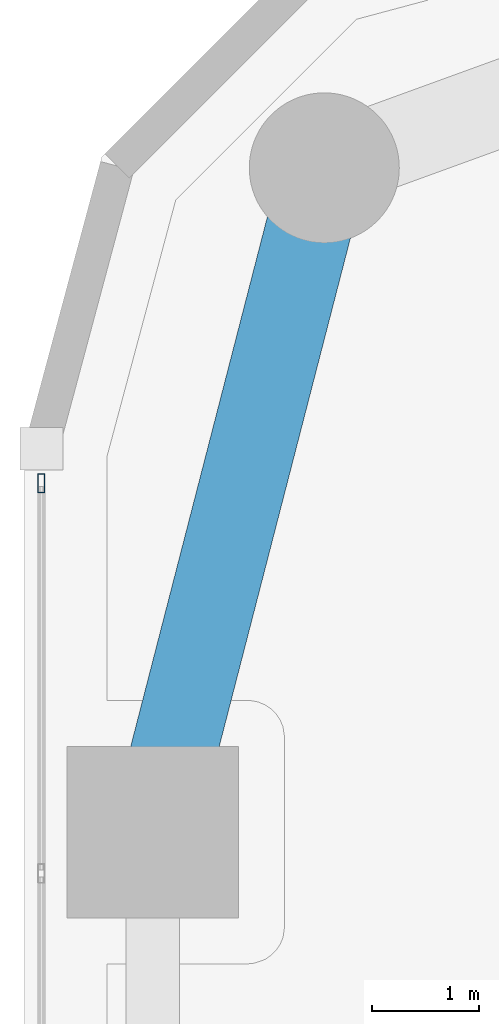
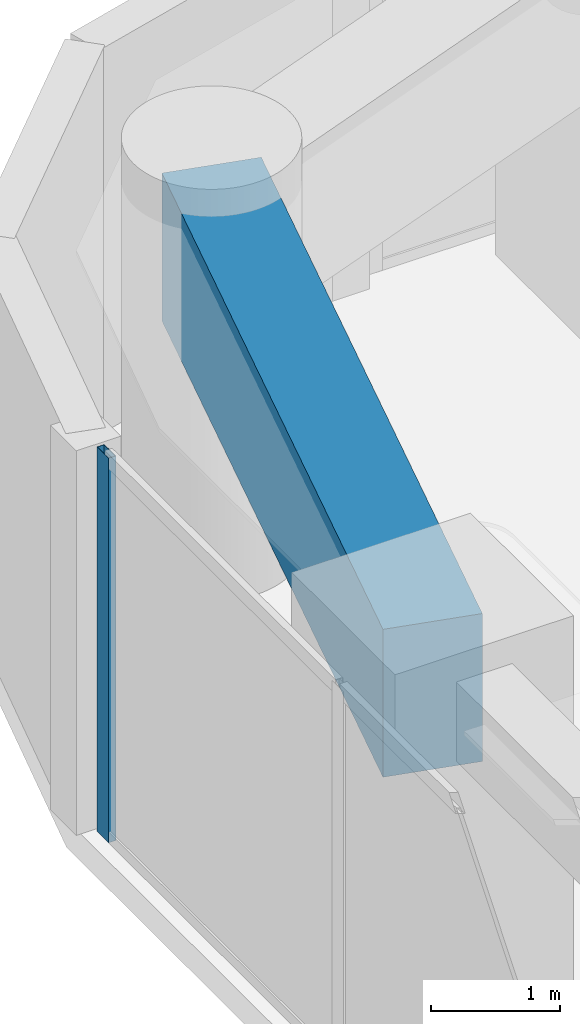
# One storey, part 14 of 29: 1 beam, 1 member, 1 element without a shape of its own.
"""IFC4 building model written with IfcOpenShell, lengths in metres."""

from ifc_helpers import new_model, si_unit, direction, frame, origin, origin_2d, place, context, subcontext, project, spatial, rectangle, hollow_rectangle, extrude, material, layer, layer_set, material_profile, profile_set, type_object, element, aggregate, save


model = new_model("IFC4")

# Units and contexts
model_context = context("Model", 3, precision=1e-05, world=origin(), true_north=direction((0.0, 1.0)))
body_context = subcontext(model_context, "Body", "Model", "MODEL_VIEW")
ifc_project = project(units=[si_unit("LENGTHUNIT", "METRE"), si_unit("AREAUNIT", "SQUARE_METRE"), si_unit("VOLUMEUNIT", "CUBIC_METRE"), si_unit("PLANEANGLEUNIT", "RADIAN"), si_unit("MASSUNIT", "GRAM", prefix="KILO")], contexts=[model_context])

# Site, building, storey
site_placement = place(None, origin())
site = spatial("IfcSite", under=ifc_project, at=site_placement, CompositionType="ELEMENT")
building_placement = place(site_placement, origin())
building = spatial("IfcBuilding", under=site, at=building_placement, Name="Kiyonajd Concourse Tower", CompositionType="ELEMENT")
storey_placement = place(building_placement, frame((0.0, 0.0, 29.39990234375)))
storey = spatial("IfcBuildingStorey", under=building, at=storey_placement, Name="L08", CompositionType="ELEMENT", Elevation=29.39990234375)

# Beam
ifc_material_1 = material(Name="Concrete C60/75", Category="concrete")
ifc_material_profile_1 = material_profile(ifc_material_1, rectangle(XDim=0.800048828125, YDim=1.39990234375, at=origin_2d()), Name="RCBM-800x1400")
ifc_profile_set_1 = profile_set([ifc_material_profile_1], Name="Concrete C60/75")
beam_type = type_object("IfcBeamType", Name="BM-XFER-RC", PredefinedType="BEAM", material=ifc_profile_set_1)
beam_placement = place(storey_placement, frame((20.800048828125, 59.60009765625, 2.940185546875), z_axis=(-0.249884937687, -0.968275538221, 0.0), x_axis=(0.968275538221, -0.249884937687, 0.0)))
element("IfcBeam", 1, at=beam_placement, inside=storey, type_object=beam_type, Name="L08 Perimeter Bundled Tube Spandrel", PredefinedType="BEAM", context=body_context, shape_type="SweptSolid", body=[
    extrude(rectangle(XDim=0.800048828125, YDim=1.39990234375, at=origin_2d()), origin(), (0.0, 0.0, 1.0), 6.4033203125),
])

# Curtain wall, member
ifc_material_2 = material(Name="Thermally Broken Anodised Aluminium", Category="aluminium")
ifc_layer = layer(ifc_material_2, 0.179931640625)
ifc_layer_set = layer_set([ifc_layer], Name="Thermally Broken Anodised Aluminium")
curtain_wall_type = type_object("IfcCurtainWallType", Name="CW-SYS-02", PredefinedType="NOTDEFINED", material=ifc_layer_set)
curtain_wall_placement = place(storey_placement, origin())
curtain_wall = element("IfcCurtainWall", 2, at=curtain_wall_placement, inside=storey, type_object=curtain_wall_type, Name="L08 Unitised Curtain Wall CW2", PredefinedType="NOTDEFINED")
ifc_material_profile_2 = material_profile(ifc_material_2, hollow_rectangle(XDim=0.06494140625, YDim=0.179931640625, WallThickness=0.00390625, at=origin_2d()), Name="MULL-65x180")
ifc_profile_set_2 = profile_set([ifc_material_profile_2], Name="Thermally Broken Anodised Aluminium")
member_type = type_object("IfcMemberType", Name="MB-CW-MULL1", PredefinedType="MULLION", material=ifc_profile_set_2)
member_placement = place(storey_placement, frame((18.159912109375, 56.656494140625, 0.0), z_axis=(0.0, 0.0, 1.0), x_axis=(-1.0, 0.0, 0.0)))
member = element("IfcMember", 3, at=member_placement, type_object=member_type, Name="CW2 mullion 7", PredefinedType="MULLION", context=body_context, shape_type="SweptSolid", body=[
    extrude(hollow_rectangle(XDim=0.06494140625, YDim=0.179931640625, WallThickness=0.00390625, at=origin_2d()), origin(), (0.0, 0.0, 1.0), 3.64013671875),
])
aggregate(curtain_wall, [member])

save(model, "model.ifc")
